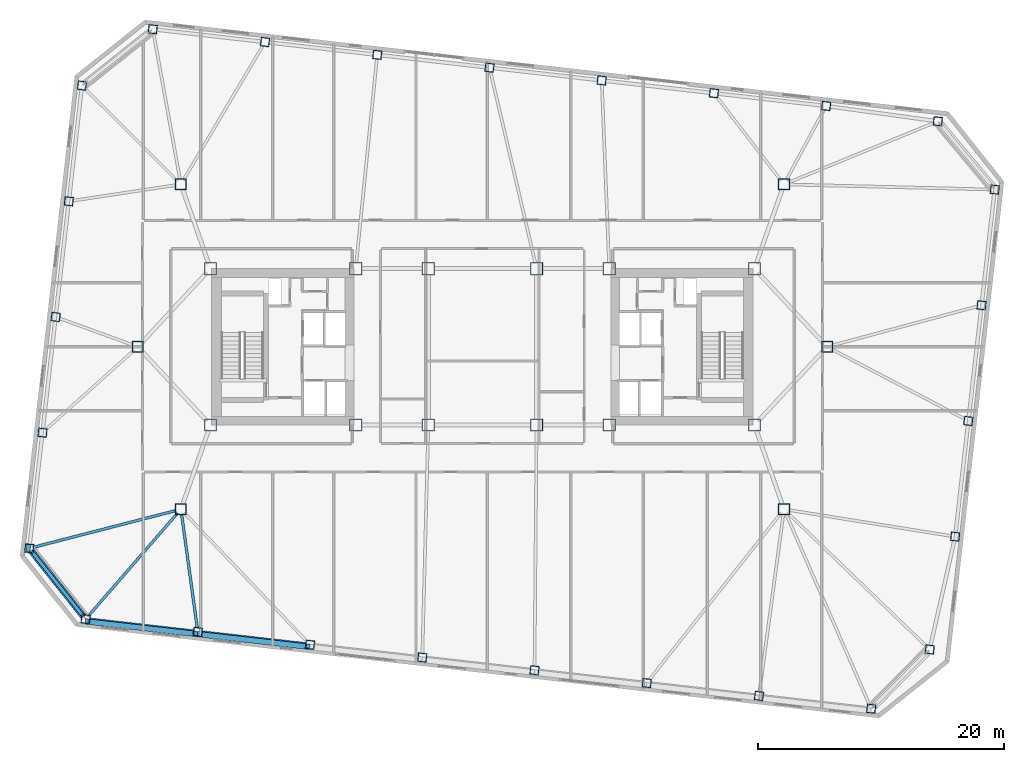
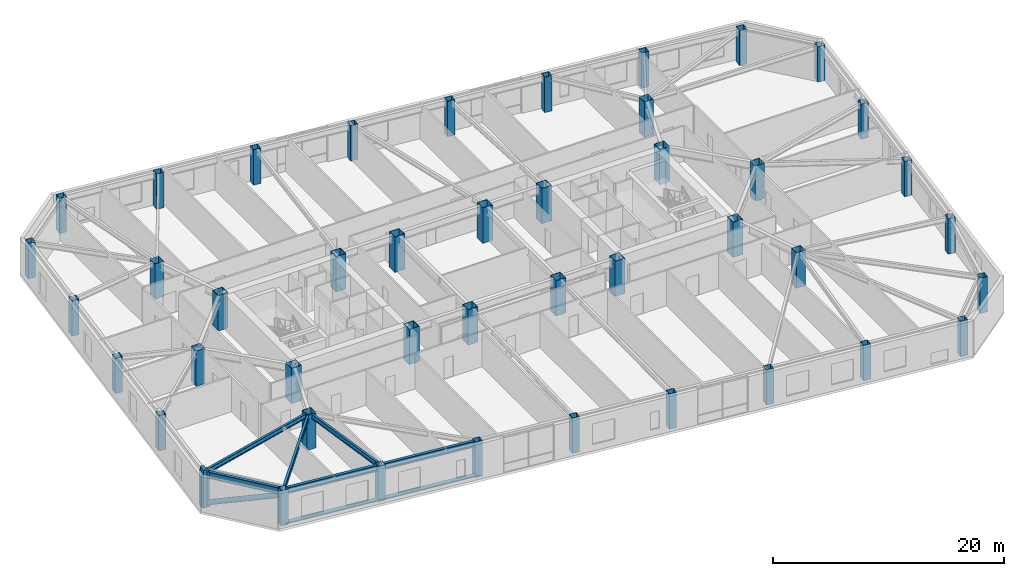
# One storey, part 1 of 21: 44 columns, 6 beams, 4 members.
"""IFC4 building model written with IfcOpenShell, lengths in metres."""

from ifc_helpers import new_model, si_unit, direction, frame, origin, origin_2d, place, context, subcontext, project, spatial, rectangle, hollow_rectangle, hollow_circle, i_section, extrude, material, material_profile, profile_set, type_object, element, save


model = new_model("IFC4")

# Units and contexts
model_context = context("Model", 3, precision=1e-05, world=origin(), true_north=direction((0.0, 1.0)))
body_context = subcontext(model_context, "Body", "Model", "MODEL_VIEW")
ifc_project = project(units=[si_unit("LENGTHUNIT", "METRE"), si_unit("AREAUNIT", "SQUARE_METRE"), si_unit("VOLUMEUNIT", "CUBIC_METRE"), si_unit("PLANEANGLEUNIT", "RADIAN"), si_unit("MASSUNIT", "GRAM", prefix="KILO")], contexts=[model_context])

# Site, building, storey
site_placement = place(None, origin())
site = spatial("IfcSite", under=ifc_project, at=site_placement, CompositionType="ELEMENT")
building_placement = place(site_placement, origin())
building = spatial("IfcBuilding", under=site, at=building_placement, Name="Tavrogorsk Clinical Tower", CompositionType="ELEMENT")
storey_placement = place(building_placement, frame((0.0, 0.0, 129.39990234375)))
storey = spatial("IfcBuildingStorey", under=building, at=storey_placement, Name="L29", CompositionType="ELEMENT", Elevation=129.39990234375)

# Columns
ifc_material_1 = material(Name="Structural steel S440", Category="steel")
ifc_material_profile_1 = material_profile(ifc_material_1, hollow_rectangle(XDim=1.0, YDim=1.0, WallThickness=0.044921875, at=origin_2d()), Name="BOX-1000x1000x45")
ifc_profile_set_1 = profile_set([ifc_material_profile_1], Name="Structural steel S440")
column_type_1 = type_object("IfcColumnType", Name="MegaCol_BOX1000", PredefinedType="COLUMN", material=ifc_profile_set_1)
for number, where, z_axis, x_axis, name in (
    (1, (-22.10009765625, -6.35009765625, 0.0), (0.0, 0.0, 1.0), (1.0, 0.0, 0.0), "L29 Mega Column MC-W1"),
    (2, (-22.10009765625, 6.35009765625, 0.0), (0.0, 0.0, 1.0), (1.0, 0.0, 0.0), "L29 Mega Column MC-W2"),
    (3, (-10.300048828125, -6.35009765625, 0.0), (0.0, 0.0, 1.0), (1.0, 0.0, 0.0), "L29 Mega Column MC-W3"),
    (4, (-10.300048828125, 6.35009765625, 0.0), (0.0, 0.0, 1.0), (1.0, 0.0, 0.0), "L29 Mega Column MC-W4"),
    (5, (10.300048828125, -6.35009765625, 0.0), (0.0, 0.0, 1.0), (1.0, 0.0, 0.0), "L29 Mega Column MC-E1"),
    (6, (10.300048828125, 6.35009765625, 0.0), (0.0, 0.0, 1.0), (1.0, 0.0, 0.0), "L29 Mega Column MC-E2"),
    (7, (22.10009765625, -6.35009765625, 0.0), (0.0, 0.0, 1.0), (1.0, 0.0, 0.0), "L29 Mega Column MC-E3"),
    (8, (22.10009765625, 6.35009765625, 0.0), (0.0, 0.0, 1.0), (1.0, 0.0, 0.0), "L29 Mega Column MC-E4"),
    (9, (-4.39990234375, -6.35009765625, 0.0), (0.0, 0.0, 1.0), (1.0, 0.0, 0.0), "L29 Mega Column MC-C1"),
    (10, (4.39990234375, -6.35009765625, 0.0), (0.0, 0.0, 1.0), (1.0, 0.0, 0.0), "L29 Mega Column MC-C2"),
    (11, (-4.39990234375, 6.35009765625, 0.0), (0.0, 0.0, 1.0), (1.0, 0.0, 0.0), "L29 Mega Column MC-C3"),
    (12, (4.39990234375, 6.35009765625, 0.0), (0.0, 0.0, 1.0), (1.0, 0.0, 0.0), "L29 Mega Column MC-C4"),
):
    element("IfcColumn", number, at=place(storey_placement, frame(where, z_axis=z_axis, x_axis=x_axis)), inside=storey, type_object=column_type_1, Name=name, PredefinedType="COLUMN", context=body_context, shape_type="SweptSolid", body=[
        extrude(hollow_rectangle(XDim=1.0, YDim=1.0, WallThickness=0.044921875, at=origin_2d()), origin(), (0.0, 0.0, 1.0), 3.739990234375),
    ])
ifc_material_2 = material(Name="Structural steel S440", Category="steel")
ifc_material_profile_2 = material_profile(ifc_material_2, hollow_rectangle(XDim=0.89990234375, YDim=0.89990234375, WallThickness=0.0400390625, at=origin_2d()), Name="BOX-900x900x40")
ifc_profile_set_2 = profile_set([ifc_material_profile_2], Name="Structural steel S440")
column_type_2 = type_object("IfcColumnType", Name="MegaCol_BOX900", PredefinedType="COLUMN", material=ifc_profile_set_2)
for number, where, z_axis, x_axis, name in (
    (13, (-24.5, -13.199951171875, 0.0), (0.0, 0.0, 1.0), (1.0, 0.0, 0.0), "L29 Spine Pilotis Column MC-P1"),
    (14, (24.5, -13.199951171875, 0.0), (0.0, 0.0, 1.0), (1.0, 0.0, 0.0), "L29 Spine Pilotis Column MC-P2"),
    (15, (-24.5, 13.199951171875, 0.0), (0.0, 0.0, 1.0), (1.0, 0.0, 0.0), "L29 Spine Pilotis Column MC-P3"),
    (16, (24.5, 13.199951171875, 0.0), (0.0, 0.0, 1.0), (1.0, 0.0, 0.0), "L29 Spine Pilotis Column MC-P4"),
    (17, (-28.0, 0.0, 0.0), (0.0, 0.0, 1.0), (1.0, 0.0, 0.0), "L29 Spine Pilotis Column MC-P5"),
    (18, (28.0, 0.0, 0.0), (0.0, 0.0, 1.0), (1.0, 0.0, 0.0), "L29 Spine Pilotis Column MC-P6"),
):
    element("IfcColumn", number, at=place(storey_placement, frame(where, z_axis=z_axis, x_axis=x_axis)), inside=storey, type_object=column_type_2, Name=name, PredefinedType="COLUMN", context=body_context, shape_type="SweptSolid", body=[
        extrude(hollow_rectangle(XDim=0.89990234375, YDim=0.89990234375, WallThickness=0.0400390625, at=origin_2d()), origin(), (0.0, 0.0, 1.0), 3.739990234375),
    ])
ifc_material_3 = material(Name="Structural steel S440", Category="steel")
ifc_material_profile_3 = material_profile(ifc_material_3, hollow_rectangle(XDim=0.699951171875, YDim=0.699951171875, WallThickness=0.031982421875, at=origin_2d()), Name="BOX-700x700x32")
ifc_profile_set_3 = profile_set([ifc_material_profile_3], Name="Structural steel S440")
column_type_3 = type_object("IfcColumnType", Name="PerimCol_B2_BOX700", PredefinedType="COLUMN", material=ifc_profile_set_3)
for number, where, z_axis, x_axis, name in (
    (19, (-32.243896484375, -22.12890625, 0.0), (0.0, 0.0, 1.0), (0.993571855677, -0.113203213768, 0.0), "L29 Perimeter Column S1"),
    (20, (-23.1259765625, -23.167724609375, 0.0), (0.0, 0.0, 1.0), (0.993571855677, -0.113203213768, 0.0), "L29 Perimeter Column S2"),
    (21, (-14.0078125, -24.20654296875, 0.0), (0.0, 0.0, 1.0), (0.993571855677, -0.113203213768, 0.0), "L29 Perimeter Column S3"),
    (22, (-4.8896484375, -25.24560546875, 0.0), (0.0, 0.0, 1.0), (0.993571855677, -0.113203213768, 0.0), "L29 Perimeter Column S4"),
    (23, (4.228515625, -26.284423828125, 0.0), (0.0, 0.0, 1.0), (0.993571855677, -0.113203213768, 0.0), "L29 Perimeter Column S5"),
    (24, (13.3466796875, -27.3232421875, 0.0), (0.0, 0.0, 1.0), (0.993571855677, -0.113203213768, 0.0), "L29 Perimeter Column S6"),
    (25, (22.465087890625, -28.3623046875, 0.0), (0.0, 0.0, 1.0), (0.993571855677, -0.113203213768, 0.0), "L29 Perimeter Column S7"),
    (26, (31.5830078125, -29.40087890625, 0.0), (0.0, 0.0, 1.0), (0.993571855677, -0.113203213768, 0.0), "L29 Perimeter Column S8"),
    (27, (36.99658203125, 18.323486328125, 0.0), (0.0, 0.0, 1.0), (0.993571855677, -0.113203213768, 0.0), "L29 Perimeter Column N1"),
    (28, (27.92578125, 19.567626953125, 0.0), (0.0, 0.0, 1.0), (0.993571855677, -0.113203213768, 0.0), "L29 Perimeter Column N2"),
    (29, (18.8076171875, 20.606689453125, 0.0), (0.0, 0.0, 1.0), (0.993571855677, -0.113203213768, 0.0), "L29 Perimeter Column N3"),
    (30, (9.689697265625, 21.6455078125, 0.0), (0.0, 0.0, 1.0), (0.993571855677, -0.113203213768, 0.0), "L29 Perimeter Column N4"),
    (31, (0.5712890625, 22.684326171875, 0.0), (0.0, 0.0, 1.0), (0.993571855677, -0.113203213768, 0.0), "L29 Perimeter Column N5"),
    (32, (-8.546875, 23.723388671875, 0.0), (0.0, 0.0, 1.0), (0.993571855677, -0.113203213768, 0.0), "L29 Perimeter Column N6"),
    (33, (-17.6650390625, 24.76220703125, 0.0), (0.0, 0.0, 1.0), (0.993571855677, -0.113203213768, 0.0), "L29 Perimeter Column N7"),
    (34, (-26.783203125, 25.801025390625, 0.0), (0.0, 0.0, 1.0), (0.993571855677, -0.113203213768, 0.0), "L29 Perimeter Column N8"),
    (35, (36.335693359375, -24.591796875, 0.0), (0.0, 0.0, 1.0), (0.993571855677, -0.113203213768, 0.0), "L29 Perimeter Column E1"),
    (36, (38.4091796875, -15.423828125, 0.0), (0.0, 0.0, 1.0), (0.993571855677, -0.113203213768, 0.0), "L29 Perimeter Column E2"),
    (37, (39.47998046875, -6.024658203125, 0.0), (0.0, 0.0, 1.0), (0.993571855677, -0.113203213768, 0.0), "L29 Perimeter Column E3"),
    (38, (40.551025390625, 3.37451171875, 0.0), (0.0, 0.0, 1.0), (0.993571855677, -0.113203213768, 0.0), "L29 Perimeter Column E4"),
    (39, (41.621826171875, 12.773681640625, 0.0), (0.0, 0.0, 1.0), (0.993571855677, -0.113203213768, 0.0), "L29 Perimeter Column E5"),
    (40, (-32.538330078125, 21.22314453125, 0.0), (0.0, 0.0, 1.0), (0.993571855677, -0.113203213768, 0.0), "L29 Perimeter Column W1"),
    (41, (-33.609130859375, 11.823974609375, 0.0), (0.0, 0.0, 1.0), (0.993571855677, -0.113203213768, 0.0), "L29 Perimeter Column W2"),
    (42, (-34.68017578125, 2.4248046875, 0.0), (0.0, 0.0, 1.0), (0.993571855677, -0.113203213768, 0.0), "L29 Perimeter Column W3"),
    (43, (-35.7509765625, -6.974365234375, 0.0), (0.0, 0.0, 1.0), (0.993571855677, -0.113203213768, 0.0), "L29 Perimeter Column W4"),
    (44, (-36.822021484375, -16.37353515625, 0.0), (0.0, 0.0, 1.0), (0.993571855677, -0.113203213768, 0.0), "L29 Perimeter Column W5"),
):
    element("IfcColumn", number, at=place(storey_placement, frame(where, z_axis=z_axis, x_axis=x_axis)), inside=storey, type_object=column_type_3, Name=name, PredefinedType="COLUMN", context=body_context, shape_type="SweptSolid", body=[
        extrude(hollow_rectangle(XDim=0.699951171875, YDim=0.699951171875, WallThickness=0.031982421875, at=origin_2d()), origin(), (0.0, 0.0, 1.0), 3.739990234375),
    ])

# Members
ifc_material_4 = material(Name="Anodised aluminium alloy AW-6063", Category="aluminium")
ifc_material_profile_4 = material_profile(ifc_material_4, rectangle(XDim=0.449951171875, YDim=0.1201171875, at=origin_2d()), Name="ALU-SUNSHADE-450x120")
ifc_profile_set_4 = profile_set([ifc_material_profile_4], Name="Anodised aluminium alloy AW-6063")
member_type_1 = type_object("IfcMemberType", Name="ChicagoSunshade_450x120", PredefinedType="USERDEFINED", material=ifc_profile_set_4)
for number, where, z_axis, x_axis, name in (
    (45, (-32.264404296875, -22.3076171875, 0.18017578125), (0.993572654864, -0.113196199166, 0.0), (0.113196199166, 0.993572654864, 0.0), "L29 South Aluminium Sunshade S1"),
    (46, (-23.146240234375, -23.346435546875, 0.18017578125), (0.993569662511, -0.113222461274, 0.0), (0.113222461274, 0.993569662511, 0.0), "L29 South Aluminium Sunshade S2"),
):
    element("IfcMember", number, at=place(storey_placement, frame(where, z_axis=z_axis, x_axis=x_axis)), inside=storey, type_object=member_type_1, Name=name, ObjectType="SUNSHADE", PredefinedType="USERDEFINED", context=body_context, shape_type="SweptSolid", body=[
        extrude(rectangle(XDim=0.449951171875, YDim=0.1201171875, at=origin_2d()), origin(), (0.0, 0.0, 1.0), 9.17724609375),
    ])
ifc_material_5 = material(Name="Structural steel S440", Category="steel")
ifc_material_profile_5 = material_profile(ifc_material_5, hollow_circle(Radius=0.25390625, WallThickness=0.02001953125, at=origin_2d()), Name="CHS-508x20")
ifc_profile_set_5 = profile_set([ifc_material_profile_5], Name="Structural steel S440")
member_type_2 = type_object("IfcMemberType", Name="ExoBrace_CHS508", PredefinedType="BRACE", material=ifc_profile_set_5)
member_1_placement = place(storey_placement, frame((-36.613037109375, -16.63623046875, 0.425048828125), z_axis=(0.583326985798, -0.73336936718, 0.349140371371), x_axis=(0.782619256143, 0.622500682662, 0.0)))
element("IfcMember", 47, at=member_1_placement, inside=storey, type_object=member_type_2, Name="L29 Corner Exoskeleton Brace W5-S1", PredefinedType="BRACE", context=body_context, shape_type="SweptSolid", body=[
    extrude(hollow_circle(Radius=0.25390625, WallThickness=0.02001953125, at=origin_2d()), origin(), (0.0, 0.0, 1.0), 7.1318359375),
])

# Beams
ifc_material_6 = material(Name="Structural steel S355", Category="steel")
ifc_material_profile_6 = material_profile(ifc_material_6, i_section(OverallWidth=0.219970703125, OverallDepth=0.5, WebThickness=0.012939453125, FlangeThickness=0.02001953125, at=origin_2d()), Name="B-500x220x13x20")
ifc_profile_set_6 = profile_set([ifc_material_profile_6], Name="Structural steel S355")
beam_type_1 = type_object("IfcBeamType", Name="FloorBeam_B500", PredefinedType="BEAM", material=ifc_profile_set_6)
beam_1_placement = place(storey_placement, frame((-24.7685546875, -13.509765625, 3.489990234375), z_axis=(-0.655213926096, -0.755443387058, 0.0), x_axis=(0.755443387058, -0.655213926096, 0.0)))
element("IfcBeam", 48, at=beam_1_placement, inside=storey, type_object=beam_type_1, Name="L29 Radial Floor Beam S1", PredefinedType="BEAM", context=body_context, shape_type="SweptSolid", body=[
    extrude(i_section(OverallWidth=0.219970703125, OverallDepth=0.5, WebThickness=0.012939453125, FlangeThickness=0.02001953125, at=origin_2d()), origin(), (0.0, 0.0, 1.0), 11.05126953125),
])
beam_2_placement = place(storey_placement, frame((-24.444091796875, -13.606201171875, 3.489990234375), z_axis=(0.136572505989, -0.990630077581, 0.0), x_axis=(0.990630077581, 0.136572505989, 0.0)))
element("IfcBeam", 49, at=beam_2_placement, inside=storey, type_object=beam_type_1, Name="L29 Radial Floor Beam S2", PredefinedType="BEAM", context=body_context, shape_type="SweptSolid", body=[
    extrude(i_section(OverallWidth=0.219970703125, OverallDepth=0.5, WebThickness=0.012939453125, FlangeThickness=0.02001953125, at=origin_2d()), origin(), (0.0, 0.0, 1.0), 9.2939453125),
])
beam_3_placement = place(storey_placement, frame((-24.89697265625, -13.30224609375, 3.489990234375), z_axis=(-0.968393085087, -0.24942901346, 0.0), x_axis=(0.24942901346, -0.968393085087, 0.0)))
element("IfcBeam", 50, at=beam_3_placement, inside=storey, type_object=beam_type_1, Name="L29 Radial Floor Beam W5", PredefinedType="BEAM", context=body_context, shape_type="SweptSolid", body=[
    extrude(i_section(OverallWidth=0.219970703125, OverallDepth=0.5, WebThickness=0.012939453125, FlangeThickness=0.02001953125, at=origin_2d()), origin(), (0.0, 0.0, 1.0), 11.9560546875),
])

# Member
ifc_material_7 = material(Name="Precast concrete B45 with limestone cladding", Category="masonry")
ifc_material_profile_7 = material_profile(ifc_material_7, rectangle(XDim=0.320068359375, YDim=0.719970703125, at=origin_2d()), Name="LIMESTONE-FIN-320x720")
ifc_profile_set_7 = profile_set([ifc_material_profile_7], Name="Precast concrete B45 with limestone cladding")
member_type_3 = type_object("IfcMemberType", Name="LimestonePleatFin_320x720", PredefinedType="USERDEFINED", material=ifc_profile_set_7)
member_2_placement = place(storey_placement, frame((-36.9013671875, -16.364501953125, 0.0), z_axis=(0.0, 0.0, 1.0), x_axis=(0.993571855677, -0.113203213768, 0.0)))
element("IfcMember", 51, at=member_2_placement, inside=storey, type_object=member_type_3, Name="L29 W Pleated Stone Fin 4", ObjectType="FIN", PredefinedType="USERDEFINED", context=body_context, shape_type="SweptSolid", body=[
    extrude(rectangle(XDim=0.320068359375, YDim=0.719970703125, at=origin_2d()), origin(), (0.0, 0.0, 1.0), 4.0),
])

# Beams
ifc_material_8 = material(Name="Structural steel S390", Category="steel")
ifc_material_profile_8 = material_profile(ifc_material_8, i_section(OverallWidth=0.280029296875, OverallDepth=0.64990234375, WebThickness=0.01611328125, FlangeThickness=0.02490234375, at=origin_2d()), Name="B-650x280x16x25")
ifc_profile_set_8 = profile_set([ifc_material_profile_8], Name="Structural steel S390")
beam_type_2 = type_object("IfcBeamType", Name="SpandrelBeam_B650", PredefinedType="SPANDREL", material=ifc_profile_set_8)
beam_4_placement = place(storey_placement, frame((-31.88818359375, -22.16943359375, 3.4150390625), z_axis=(0.99357232562, -0.113199089054, 0.0), x_axis=(0.113199089054, 0.99357232562, 0.0)))
element("IfcBeam", 52, at=beam_4_placement, inside=storey, type_object=beam_type_2, Name="L29 Perimeter Spandrel S1-S2", PredefinedType="SPANDREL", context=body_context, shape_type="SweptSolid", body=[
    extrude(i_section(OverallWidth=0.280029296875, OverallDepth=0.64990234375, WebThickness=0.01611328125, FlangeThickness=0.02490234375, at=origin_2d()), origin(), (0.0, 0.0, 1.0), 8.4609375),
])
beam_5_placement = place(storey_placement, frame((-22.770263671875, -23.208251953125, 3.4150390625), z_axis=(0.99357306506, -0.113192598642, 0.0), x_axis=(0.113192598642, 0.99357306506, 0.0)))
element("IfcBeam", 53, at=beam_5_placement, inside=storey, type_object=beam_type_2, Name="L29 Perimeter Spandrel S2-S3", PredefinedType="SPANDREL", context=body_context, shape_type="SweptSolid", body=[
    extrude(i_section(OverallWidth=0.280029296875, OverallDepth=0.64990234375, WebThickness=0.01611328125, FlangeThickness=0.02490234375, at=origin_2d()), origin(), (0.0, 0.0, 1.0), 8.46142578125),
])
beam_6_placement = place(storey_placement, frame((-36.59912109375, -16.65380859375, 3.4150390625), z_axis=(0.622530733212, -0.782595352788, 0.0), x_axis=(0.782595352788, 0.622530733212, 0.0)))
element("IfcBeam", 54, at=beam_6_placement, inside=storey, type_object=beam_type_2, Name="L29 Perimeter Spandrel W5-S1", PredefinedType="SPANDREL", context=body_context, shape_type="SweptSolid", body=[
    extrude(i_section(OverallWidth=0.280029296875, OverallDepth=0.64990234375, WebThickness=0.01611328125, FlangeThickness=0.02490234375, at=origin_2d()), origin(), (0.0, 0.0, 1.0), 6.637939453125),
])

save(model, "model.ifc")
